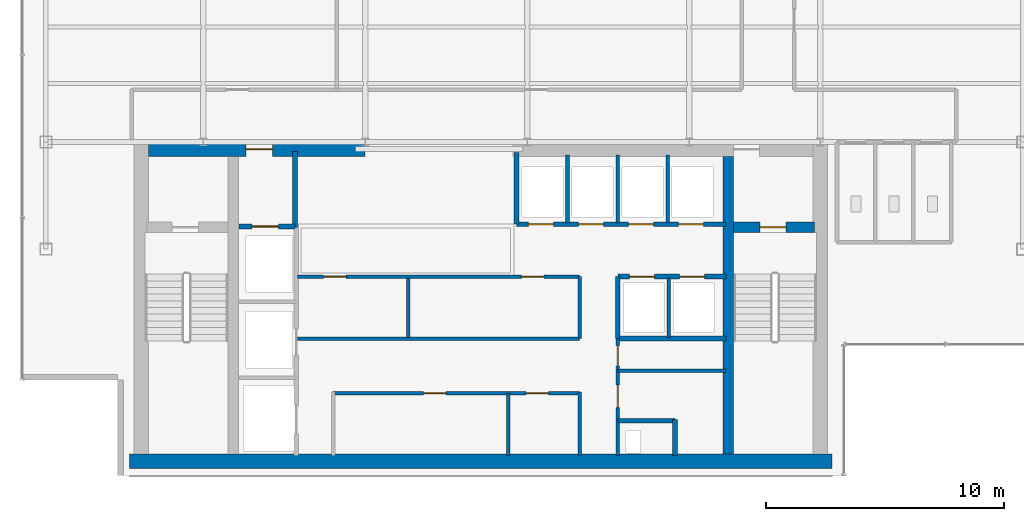
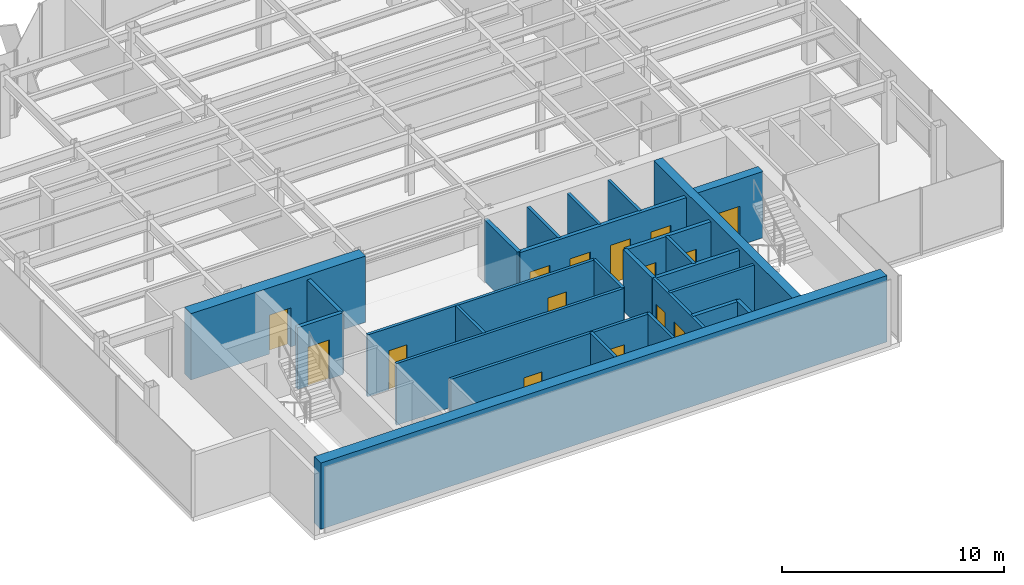
# One storey, part 17 of 22: 26 walls, 15 doors, 15 openings.
"""IFC4 building model written with IfcOpenShell, lengths in metres."""

from ifc_helpers import new_model, si_unit, derived_unit, direction, frame, frame_2d, origin, place, context, subcontext, project, spatial, rectangle, extrude, source, transform, mapped, material, layer, layer_set, type_object, element, fill, save


model = new_model("IFC4")

# Units and contexts
model_context = context("Model", 3, precision=1e-05, world=origin(), true_north=direction((0.0, 1.0)))
body_context = subcontext(model_context, "Body", "Model", "MODEL_VIEW")
ifc_project = project(units=[si_unit("LENGTHUNIT", "METRE"), si_unit("AREAUNIT", "SQUARE_METRE"), si_unit("VOLUMEUNIT", "CUBIC_METRE"), si_unit("PLANEANGLEUNIT", "RADIAN"), si_unit("MASSUNIT", "GRAM", prefix="KILO"), derived_unit("THERMALTRANSMITTANCEUNIT", [(si_unit("POWERUNIT", "WATT"), 1), (si_unit("LENGTHUNIT", "METRE"), -2), (si_unit("THERMODYNAMICTEMPERATUREUNIT", "KELVIN"), -1)])], contexts=[model_context])

# Site, building, storey
site_placement = place(None, origin())
site = spatial("IfcSite", under=ifc_project, at=site_placement, CompositionType="ELEMENT")
building_placement = place(site_placement, origin())
building = spatial("IfcBuilding", under=site, at=building_placement, Name="Skarnbrae Concourse Arena and Tower", CompositionType="ELEMENT")
storey_placement = place(building_placement, frame((0.0, 0.0, 199.550048828125)))
storey = spatial("IfcBuildingStorey", under=building, at=storey_placement, Name="L51", CompositionType="ELEMENT", Elevation=199.550048828125)

# Wall, opening, door
ifc_material_1 = material(Name="Concrete 50 MPa (C50/60)", Category="concrete")
ifc_layer_1 = layer(ifc_material_1, 0.449951171875)
ifc_layer_set_1 = layer_set([ifc_layer_1], Name="Concrete 50 MPa (C50/60)")
wall_type_1 = type_object("IfcWallType", Name="WALL-CORE-450-C50", PredefinedType="SHEAR", material=ifc_layer_set_1)
shared_shape_1 = source(origin(), body_context, "Body", "SweptSolid", [
    extrude(rectangle(XDim=3.389892578125, YDim=0.449951171875, at=frame_2d((1.69482421875, 0.0))), origin(), (0.0, 0.0, 1.0), 3.64990234375),
])
wall_1_placement = place(storey_placement, frame((29.860107421875, 10.419921875, 0.0), z_axis=(0.0, 0.0, 1.0), x_axis=(1.0, 0.0, 0.0)))
wall_1 = element("IfcWall", 1, at=wall_1_placement, inside=storey, type_object=wall_type_1, Name="L51 Rear core shear wall CW-ST2-N", PredefinedType="SHEAR", context=body_context, shape_type="MappedRepresentation", body=[
    mapped(shared_shape_1, transform((0.0, 0.0, 0.0))),
])
opening_1_placement = place(wall_1_placement, frame((1.10009765625, 0.0, 0.0)))
opening_1 = element("IfcOpeningElement", 2, at=opening_1_placement, cuts=wall_1, Name="Opening DT-03", PredefinedType="OPENING", context=body_context, shape_type="SweptSolid", body=[
    extrude(rectangle(XDim=1.10009765625, YDim=2.14990234375, at=frame_2d((0.550048828125, 1.074951171875))), frame((0.0, 0.23486328125, 0.0), z_axis=(0.0, -1.0, 0.0), x_axis=(1.0, 0.0, 0.0)), (0.0, 0.0, 1.0), 0.469970703125),
])
ifc_material_2 = material(Name="Steel CSA G40.21 350W", Category="steel")
door_type_1 = type_object("IfcDoorType", Name="DOOR-FIRE-1100-90M", OperationType="NOTDEFINED", PredefinedType="DOOR", material=ifc_material_2)
shared_shape_2 = source(origin(), body_context, "Body", "SweptSolid", [
    extrude(rectangle(XDim=1.10009765625, YDim=2.14990234375, at=frame_2d((0.550048828125, 1.074951171875))), frame((0.0, 0.02490234375, 0.0), z_axis=(0.0, -1.0, 0.0), x_axis=(1.0, 0.0, 0.0)), (0.0, 0.0, 1.0), 0.050048828125),
])
door_1_placement = place(opening_1_placement, frame((1.10009765625, 0.0, 0.0), z_axis=(0.0, 0.0, 1.0), x_axis=(-1.0, 0.0, 0.0)))
door_1 = element("IfcDoor", 3, at=door_1_placement, inside=storey, type_object=door_type_1, Name="D-1556 Stair ST-2 Door", OperationType="SINGLE_SWING_RIGHT", OverallHeight=2.14990234375, OverallWidth=1.10009765625, PredefinedType="DOOR", context=body_context, shape_type="MappedRepresentation", body=[
    mapped(shared_shape_2, transform((0.0, 0.0, 0.0))),
])
fill(opening_1, door_1)

# Wall
ifc_layer_2 = layer(ifc_material_1, 0.60009765625)
ifc_layer_set_2 = layer_set([ifc_layer_2], Name="Concrete 50 MPa (C50/60)")
wall_type_2 = type_object("IfcWallType", Name="WALL-CORE-600-C50", PredefinedType="SHEAR", material=ifc_layer_set_2)
shared_shape_3 = source(origin(), body_context, "Body", "SweptSolid", [
    extrude(rectangle(XDim=29.5, YDim=0.60009765625, at=frame_2d((14.75, 0.0))), origin(), (0.0, 0.0, 1.0), 3.64990234375),
])
wall_2_placement = place(storey_placement, frame((4.5, 0.60009765625, 0.0), z_axis=(0.0, 0.0, 1.0), x_axis=(1.0, 0.0, 0.0)))
element("IfcWall", 4, at=wall_2_placement, inside=storey, type_object=wall_type_2, Name="L51 Rear core shear wall CW-S", PredefinedType="SHEAR", context=body_context, shape_type="MappedRepresentation", body=[
    mapped(shared_shape_3, transform((0.0, 0.0, 0.0))),
])

# Wall, opening, door
shared_shape_4 = source(origin(), body_context, "Body", "SweptSolid", [
    extrude(rectangle(XDim=9.099853515625, YDim=0.60009765625, at=frame_2d((4.5498046875, 0.0))), origin(), (0.0, 0.0, 1.0), 3.64990234375),
])
wall_3_placement = place(storey_placement, frame((5.300048828125, 13.699951171875, 0.0), z_axis=(0.0, 0.0, 1.0), x_axis=(1.0, 0.0, 0.0)))
wall_3 = element("IfcWall", 5, at=wall_3_placement, inside=storey, type_object=wall_type_2, Name="L51 Rear core shear wall CW-NW", PredefinedType="SHEAR", context=body_context, shape_type="MappedRepresentation", body=[
    mapped(shared_shape_4, transform((0.0, 0.0, 0.0))),
])
opening_2_placement = place(wall_3_placement, frame((4.10009765625, 0.0, 0.0)))
opening_2 = element("IfcOpeningElement", 6, at=opening_2_placement, cuts=wall_3, Name="Opening DT-03", PredefinedType="OPENING", context=body_context, shape_type="SweptSolid", body=[
    extrude(rectangle(XDim=1.10009765625, YDim=2.14990234375, at=frame_2d((0.550048828125, 1.074951171875))), frame((0.0, 0.31005859375, 0.0), z_axis=(0.0, -1.0, 0.0), x_axis=(1.0, 0.0, 0.0)), (0.0, 0.0, 1.0), 0.6201171875),
])
door_2_placement = place(opening_2_placement, origin())
door_2 = element("IfcDoor", 7, at=door_2_placement, inside=storey, type_object=door_type_1, Name="D-1557 Firefighting Lobby Exit Door", OperationType="SINGLE_SWING_RIGHT", OverallHeight=2.14990234375, OverallWidth=1.10009765625, PredefinedType="DOOR", context=body_context, shape_type="MappedRepresentation", body=[
    mapped(shared_shape_2, transform((0.0, 0.0, 0.0))),
])
fill(opening_2, door_2)

# Walls
shared_shape_5 = source(origin(), body_context, "Body", "SweptSolid", [
    extrude(rectangle(XDim=12.5, YDim=0.449951171875, at=frame_2d((6.25, 0.0))), origin(), (0.0, 0.0, 1.0), 3.64990234375),
])
wall_4_placement = place(storey_placement, frame((29.635009765625, 0.89990234375, 0.0), z_axis=(0.0, 0.0, 1.0), x_axis=(0.0, 1.0, 0.0)))
element("IfcWall", 8, at=wall_4_placement, inside=storey, type_object=wall_type_1, Name="L51 Rear core shear wall CW-WEB-E", PredefinedType="SHEAR", context=body_context, shape_type="MappedRepresentation", body=[
    mapped(shared_shape_5, transform((0.0, 0.0, 0.0))),
])
ifc_material_3 = material(Name="Gypsum board on cold-formed steel studs", Category="steel")
ifc_layer_3 = layer(ifc_material_3, 0.199951171875)
ifc_layer_set_3 = layer_set([ifc_layer_3], Name="Gypsum board on cold-formed steel studs")
wall_type_3 = type_object("IfcWallType", Name="WALL-PART-200-2HR", PredefinedType="PARTITIONING", material=ifc_layer_set_3)
shared_shape_6 = source(origin(), body_context, "Body", "SweptSolid", [
    extrude(rectangle(XDim=3.18017578125, YDim=0.199951171875, at=frame_2d((1.590087890625, 0.0))), origin(), (0.0, 0.0, 1.0), 3.39990234375),
])
wall_5_placement = place(storey_placement, frame((11.449951171875, 10.419921875, 0.0), z_axis=(0.0, 0.0, 1.0), x_axis=(0.0, 1.0, 0.0)))
element("IfcWall", 9, at=wall_5_placement, inside=storey, type_object=wall_type_3, Name="L51 Interior partition wall W-L51-FFL-E", PredefinedType="PARTITIONING", context=body_context, shape_type="MappedRepresentation", body=[
    mapped(shared_shape_6, transform((0.0, 0.0, 0.0))),
])

# Wall, opening, door
shared_shape_7 = source(origin(), body_context, "Body", "SweptSolid", [
    extrude(rectangle(XDim=2.349853515625, YDim=0.199951171875, at=frame_2d((1.1748046875, 0.0))), origin(), (0.0, 0.0, 1.0), 3.39990234375),
])
wall_6_placement = place(storey_placement, frame((9.10009765625, 10.449951171875, 0.0), z_axis=(0.0, 0.0, 1.0), x_axis=(1.0, 0.0, 0.0)))
wall_6 = element("IfcWall", 10, at=wall_6_placement, inside=storey, type_object=wall_type_3, Name="L51 Interior partition wall W-L51-FL1-N", PredefinedType="PARTITIONING", context=body_context, shape_type="MappedRepresentation", body=[
    mapped(shared_shape_7, transform((0.0, 0.0, 0.0))),
])
opening_3_placement = place(wall_6_placement, frame((0.550048828125, 0.0, 0.0)))
opening_3 = element("IfcOpeningElement", 11, at=opening_3_placement, cuts=wall_6, Name="Opening LD-01", PredefinedType="OPENING", context=body_context, shape_type="SweptSolid", body=[
    extrude(rectangle(XDim=1.10009765625, YDim=2.14990234375, at=frame_2d((0.550048828125, 1.074951171875))), frame((0.0, 0.10986328125, 0.0), z_axis=(0.0, -1.0, 0.0), x_axis=(1.0, 0.0, 0.0)), (0.0, 0.0, 1.0), 0.219970703125),
])
door_type_2 = type_object("IfcDoorType", Name="DOOR-LIFT-SLIDE-1100", OperationType="SLIDING_TO_LEFT", PredefinedType="DOOR", material=ifc_material_2)
door_3_placement = place(opening_3_placement, origin())
door_3 = element("IfcDoor", 12, at=door_3_placement, inside=storey, type_object=door_type_2, Name="D-1559 Firefighting Lift Landing Door FL-01", OperationType="SLIDING_TO_LEFT", OverallHeight=2.14990234375, OverallWidth=1.10009765625, PredefinedType="DOOR", context=body_context, shape_type="MappedRepresentation", body=[
    mapped(shared_shape_2, transform((0.0, 0.0, 0.0))),
])
fill(opening_3, door_3)

# Walls
ifc_layer_4 = layer(ifc_material_3, 0.14990234375)
ifc_layer_set_4 = layer_set([ifc_layer_4], Name="Gypsum board on cold-formed steel studs")
wall_type_4 = type_object("IfcWallType", Name="WALL-PART-150", PredefinedType="PARTITIONING", material=ifc_layer_set_4)
shared_shape_8 = source(origin(), body_context, "Body", "SweptSolid", [
    extrude(rectangle(XDim=2.599853515625, YDim=0.14990234375, at=frame_2d((1.2998046875, 0.0))), origin(), (0.0, 0.0, 1.0), 3.39990234375),
])
wall_7_placement = place(storey_placement, frame((20.39990234375, 0.85009765625, 0.0), z_axis=(0.0, 0.0, 1.0), x_axis=(0.0, 1.0, 0.0)))
element("IfcWall", 13, at=wall_7_placement, inside=storey, type_object=wall_type_4, Name="L51 Interior partition wall W-L51-B1M-C1", PredefinedType="PARTITIONING", context=body_context, shape_type="MappedRepresentation", body=[
    mapped(shared_shape_8, transform((0.0, 0.0, 0.0))),
])
shared_shape_9 = source(origin(), body_context, "Body", "SweptSolid", [
    extrude(rectangle(XDim=2.60009765625, YDim=0.199951171875, at=frame_2d((1.300048828125, 0.0))), origin(), (0.0, 0.0, 1.0), 3.39990234375),
])
wall_8_placement = place(storey_placement, frame((25.0, 5.75, 0.0), z_axis=(0.0, 0.0, 1.0), x_axis=(0.0, 1.0, 0.0)))
element("IfcWall", 14, at=wall_8_placement, inside=storey, type_object=wall_type_3, Name="L51 Interior partition wall W-L51-B3S-W", PredefinedType="PARTITIONING", context=body_context, shape_type="MappedRepresentation", body=[
    mapped(shared_shape_9, transform((0.0, 0.0, 0.0))),
])
shared_shape_10 = source(origin(), body_context, "Body", "SweptSolid", [
    extrude(rectangle(XDim=2.5, YDim=0.14990234375, at=frame_2d((1.25, 0.0))), origin(), (0.0, 0.0, 1.0), 3.39990234375),
])
for number, where, z_axis, x_axis, name in (
    (15, (16.199951171875, 5.800048828125, 0.0), (0.0, 0.0, 1.0), (0.0, 1.0, 0.0), "L51 Interior partition wall W-L51-B2M-MID"),
    (16, (27.139892578125, 5.800048828125, 0.0), (0.0, 0.0, 1.0), (0.0, 1.0, 0.0), "L51 Interior partition wall W-L51-B3S-P1"),
):
    element("IfcWall", number, at=place(storey_placement, frame(where, z_axis=z_axis, x_axis=x_axis)), inside=storey, type_object=wall_type_4, Name=name, PredefinedType="PARTITIONING", context=body_context, shape_type="MappedRepresentation", body=[
        mapped(shared_shape_10, transform((0.0, 0.0, 0.0))),
    ])

# Wall, openings, doors
shared_shape_11 = source(origin(), body_context, "Body", "SweptSolid", [
    extrude(rectangle(XDim=8.800048828125, YDim=0.199951171875, at=frame_2d((4.39990234375, 0.0))), origin(), (0.0, 0.0, 1.0), 3.39990234375),
])
wall_9_placement = place(storey_placement, frame((20.75, 10.550048828125, 0.0), z_axis=(0.0, 0.0, 1.0), x_axis=(1.0, 0.0, 0.0)))
wall_9 = element("IfcWall", 17, at=wall_9_placement, inside=storey, type_object=wall_type_3, Name="L51 Interior partition wall W-L51-B3N-S", PredefinedType="PARTITIONING", context=body_context, shape_type="MappedRepresentation", body=[
    mapped(shared_shape_11, transform((0.0, 0.0, 0.0))),
])
opening_4_placement = place(wall_9_placement, frame((0.5, 0.0, 0.0)))
opening_4 = element("IfcOpeningElement", 18, at=opening_4_placement, cuts=wall_9, Name="Opening LD-04", PredefinedType="OPENING", context=body_context, shape_type="SweptSolid", body=[
    extrude(rectangle(XDim=1.050048828125, YDim=2.14990234375, at=frame_2d((0.52490234375, 1.074951171875))), frame((0.0, 0.10986328125, 0.0), z_axis=(0.0, -1.0, 0.0), x_axis=(1.0, 0.0, 0.0)), (0.0, 0.0, 1.0), 0.219970703125),
])
opening_5_placement = place(wall_9_placement, frame((2.60009765625, 0.0, 0.0)))
opening_5 = element("IfcOpeningElement", 19, at=opening_5_placement, cuts=wall_9, Name="Opening LD-04", PredefinedType="OPENING", context=body_context, shape_type="SweptSolid", body=[
    extrude(rectangle(XDim=1.050048828125, YDim=2.14990234375, at=frame_2d((0.52490234375, 1.074951171875))), frame((0.0, 0.10986328125, 0.0), z_axis=(0.0, -1.0, 0.0), x_axis=(1.0, 0.0, 0.0)), (0.0, 0.0, 1.0), 0.219970703125),
])
opening_6_placement = place(wall_9_placement, frame((4.699951171875, 0.0, 0.0)))
opening_6 = element("IfcOpeningElement", 20, at=opening_6_placement, cuts=wall_9, Name="Opening LD-04", PredefinedType="OPENING", context=body_context, shape_type="SweptSolid", body=[
    extrude(rectangle(XDim=1.050048828125, YDim=2.14990234375, at=frame_2d((0.52490234375, 1.074951171875))), frame((0.0, 0.10986328125, 0.0), z_axis=(0.0, -1.0, 0.0), x_axis=(1.0, 0.0, 0.0)), (0.0, 0.0, 1.0), 0.219970703125),
])
opening_7_placement = place(wall_9_placement, frame((6.800048828125, 0.0, 0.0)))
opening_7 = element("IfcOpeningElement", 21, at=opening_7_placement, cuts=wall_9, Name="Opening LD-04", PredefinedType="OPENING", context=body_context, shape_type="SweptSolid", body=[
    extrude(rectangle(XDim=1.050048828125, YDim=2.14990234375, at=frame_2d((0.52490234375, 1.074951171875))), frame((0.0, 0.10986328125, 0.0), z_axis=(0.0, -1.0, 0.0), x_axis=(1.0, 0.0, 0.0)), (0.0, 0.0, 1.0), 0.219970703125),
])
ifc_material_4 = material(Name="Bronze anodised aluminium 6063-T6", Category="aluminium")
door_type_3 = type_object("IfcDoorType", Name="DOOR-LIFT-SLIDE-1050H", OperationType="SLIDING_TO_LEFT", PredefinedType="DOOR", material=ifc_material_4)
shared_shape_12 = source(origin(), body_context, "Body", "SweptSolid", [
    extrude(rectangle(XDim=1.050048828125, YDim=2.14990234375, at=frame_2d((0.52490234375, 1.074951171875))), frame((0.0, 0.02490234375, 0.0), z_axis=(0.0, -1.0, 0.0), x_axis=(1.0, 0.0, 0.0)), (0.0, 0.0, 1.0), 0.050048828125),
])
door_4_placement = place(opening_4_placement, frame((1.050048828125, 0.0, 0.0), z_axis=(0.0, 0.0, 1.0), x_axis=(-1.0, 0.0, 0.0)))
door_4 = element("IfcDoor", 22, at=door_4_placement, inside=storey, type_object=door_type_3, Name="D-1566 Passenger Lift Landing Door PL-3A", OperationType="SLIDING_TO_LEFT", OverallHeight=2.14990234375, OverallWidth=1.050048828125, PredefinedType="DOOR", context=body_context, shape_type="MappedRepresentation", body=[
    mapped(shared_shape_12, transform((0.0, 0.0, 0.0))),
])
fill(opening_4, door_4)
door_5_placement = place(opening_5_placement, frame((1.050048828125, 0.0, 0.0), z_axis=(0.0, 0.0, 1.0), x_axis=(-1.0, 0.0, 0.0)))
door_5 = element("IfcDoor", 23, at=door_5_placement, inside=storey, type_object=door_type_3, Name="D-1567 Passenger Lift Landing Door PL-3B", OperationType="SLIDING_TO_LEFT", OverallHeight=2.14990234375, OverallWidth=1.050048828125, PredefinedType="DOOR", context=body_context, shape_type="MappedRepresentation", body=[
    mapped(shared_shape_12, transform((0.0, 0.0, 0.0))),
])
fill(opening_5, door_5)
door_6_placement = place(opening_6_placement, frame((1.050048828125, 0.0, 0.0), z_axis=(0.0, 0.0, 1.0), x_axis=(-1.0, 0.0, 0.0)))
door_6 = element("IfcDoor", 24, at=door_6_placement, inside=storey, type_object=door_type_3, Name="D-1568 Passenger Lift Landing Door PL-3C", OperationType="SLIDING_TO_LEFT", OverallHeight=2.14990234375, OverallWidth=1.050048828125, PredefinedType="DOOR", context=body_context, shape_type="MappedRepresentation", body=[
    mapped(shared_shape_12, transform((0.0, 0.0, 0.0))),
])
fill(opening_6, door_6)
door_7_placement = place(opening_7_placement, frame((1.050048828125, 0.0, 0.0), z_axis=(0.0, 0.0, 1.0), x_axis=(-1.0, 0.0, 0.0)))
door_7 = element("IfcDoor", 25, at=door_7_placement, inside=storey, type_object=door_type_3, Name="D-1569 Passenger Lift Landing Door PL-3D", OperationType="SLIDING_TO_LEFT", OverallHeight=2.14990234375, OverallWidth=1.050048828125, PredefinedType="DOOR", context=body_context, shape_type="MappedRepresentation", body=[
    mapped(shared_shape_12, transform((0.0, 0.0, 0.0))),
])
fill(opening_7, door_7)

# Walls
shared_shape_13 = source(origin(), body_context, "Body", "SweptSolid", [
    extrude(rectangle(XDim=3.0, YDim=0.199951171875, at=frame_2d((1.5, 0.0))), origin(), (0.0, 0.0, 1.0), 3.39990234375),
])
wall_10_placement = place(storey_placement, frame((20.75, 10.550048828125, 0.0), z_axis=(0.0, 0.0, 1.0), x_axis=(0.0, 1.0, 0.0)))
element("IfcWall", 26, at=wall_10_placement, inside=storey, type_object=wall_type_3, Name="L51 Interior partition wall W-L51-B3N-W", PredefinedType="PARTITIONING", context=body_context, shape_type="MappedRepresentation", body=[
    mapped(shared_shape_13, transform((0.0, 0.0, 0.0))),
])
shared_shape_14 = source(origin(), body_context, "Body", "SweptSolid", [
    extrude(rectangle(XDim=2.849853515625, YDim=0.14990234375, at=frame_2d((1.4248046875, 0.0))), origin(), (0.0, 0.0, 1.0), 3.39990234375),
])
for number, where, z_axis, x_axis, name in (
    (27, (22.889892578125, 10.60009765625, 0.0), (0.0, 0.0, 1.0), (0.0, 1.0, 0.0), "L51 Interior partition wall W-L51-B3N-P1"),
    (28, (24.989990234375, 10.60009765625, 0.0), (0.0, 0.0, 1.0), (0.0, 1.0, 0.0), "L51 Interior partition wall W-L51-B3N-P2"),
    (29, (27.090087890625, 10.60009765625, 0.0), (0.0, 0.0, 1.0), (0.0, 1.0, 0.0), "L51 Interior partition wall W-L51-B3N-P3"),
):
    element("IfcWall", number, at=place(storey_placement, frame(where, z_axis=z_axis, x_axis=x_axis)), inside=storey, type_object=wall_type_4, Name=name, PredefinedType="PARTITIONING", context=body_context, shape_type="MappedRepresentation", body=[
        mapped(shared_shape_14, transform((0.0, 0.0, 0.0))),
    ])

# Wall, openings, doors
shared_shape_15 = source(origin(), body_context, "Body", "SweptSolid", [
    extrude(rectangle(XDim=4.550048828125, YDim=0.199951171875, at=frame_2d((2.27490234375, 0.0))), origin(), (0.0, 0.0, 1.0), 3.39990234375),
])
wall_11_placement = place(storey_placement, frame((25.0, 8.35009765625, 0.0), z_axis=(0.0, 0.0, 1.0), x_axis=(1.0, 0.0, 0.0)))
wall_11 = element("IfcWall", 30, at=wall_11_placement, inside=storey, type_object=wall_type_3, Name="L51 Interior partition wall W-L51-B3S-N", PredefinedType="PARTITIONING", context=body_context, shape_type="MappedRepresentation", body=[
    mapped(shared_shape_15, transform((0.0, 0.0, 0.0))),
])
opening_8_placement = place(wall_11_placement, frame((0.5, 0.0, 0.0)))
opening_8 = element("IfcOpeningElement", 31, at=opening_8_placement, cuts=wall_11, Name="Opening LD-04", PredefinedType="OPENING", context=body_context, shape_type="SweptSolid", body=[
    extrude(rectangle(XDim=1.050048828125, YDim=2.14990234375, at=frame_2d((0.52490234375, 1.074951171875))), frame((0.0, 0.10986328125, 0.0), z_axis=(0.0, -1.0, 0.0), x_axis=(1.0, 0.0, 0.0)), (0.0, 0.0, 1.0), 0.219970703125),
])
opening_9_placement = place(wall_11_placement, frame((2.60009765625, 0.0, 0.0)))
opening_9 = element("IfcOpeningElement", 32, at=opening_9_placement, cuts=wall_11, Name="Opening LD-04", PredefinedType="OPENING", context=body_context, shape_type="SweptSolid", body=[
    extrude(rectangle(XDim=1.050048828125, YDim=2.14990234375, at=frame_2d((0.52490234375, 1.074951171875))), frame((0.0, 0.10986328125, 0.0), z_axis=(0.0, -1.0, 0.0), x_axis=(1.0, 0.0, 0.0)), (0.0, 0.0, 1.0), 0.219970703125),
])
door_8_placement = place(opening_8_placement, origin())
door_8 = element("IfcDoor", 33, at=door_8_placement, inside=storey, type_object=door_type_3, Name="D-1570 Passenger Lift Landing Door PL-3E", OperationType="SLIDING_TO_LEFT", OverallHeight=2.14990234375, OverallWidth=1.050048828125, PredefinedType="DOOR", context=body_context, shape_type="MappedRepresentation", body=[
    mapped(shared_shape_12, transform((0.0, 0.0, 0.0))),
])
fill(opening_8, door_8)
door_9_placement = place(opening_9_placement, origin())
door_9 = element("IfcDoor", 34, at=door_9_placement, inside=storey, type_object=door_type_3, Name="D-1571 Passenger Lift Landing Door PL-3F", OperationType="SLIDING_TO_LEFT", OverallHeight=2.14990234375, OverallWidth=1.050048828125, PredefinedType="DOOR", context=body_context, shape_type="MappedRepresentation", body=[
    mapped(shared_shape_12, transform((0.0, 0.0, 0.0))),
])
fill(opening_9, door_9)

# Wall
wall_12_placement = place(storey_placement, frame((25.0, 5.75, 0.0), z_axis=(0.0, 0.0, 1.0), x_axis=(1.0, 0.0, 0.0)))
element("IfcWall", 35, at=wall_12_placement, inside=storey, type_object=wall_type_3, Name="L51 Interior partition wall W-L51-B3S-S", PredefinedType="PARTITIONING", context=body_context, shape_type="MappedRepresentation", body=[
    mapped(shared_shape_15, transform((0.0, 0.0, 0.0))),
])

# Wall, openings, doors
ifc_layer_5 = layer(ifc_material_3, 0.14990234375)
ifc_layer_set_5 = layer_set([ifc_layer_5], Name="Gypsum board on cold-formed steel studs")
wall_type_5 = type_object("IfcWallType", Name="WALL-PART-150-1HR", PredefinedType="PARTITIONING", material=ifc_layer_set_5)
shared_shape_16 = source(origin(), body_context, "Body", "SweptSolid", [
    extrude(rectangle(XDim=4.89990234375, YDim=0.14990234375, at=frame_2d((2.449951171875, 0.0))), origin(), (0.0, 0.0, 1.0), 3.39990234375),
])
wall_13_placement = place(storey_placement, frame((25.0, 0.85009765625, 0.0), z_axis=(0.0, 0.0, 1.0), x_axis=(0.0, 1.0, 0.0)))
wall_13 = element("IfcWall", 36, at=wall_13_placement, inside=storey, type_object=wall_type_5, Name="L51 Interior partition wall W-L51-CSV-W", PredefinedType="PARTITIONING", context=body_context, shape_type="MappedRepresentation", body=[
    mapped(shared_shape_16, transform((0.0, 0.0, 0.0))),
])
opening_10_placement = place(wall_13_placement, frame((2.0, 0.0, 0.0)))
opening_10 = element("IfcOpeningElement", 37, at=opening_10_placement, cuts=wall_13, Name="Opening DT-04", PredefinedType="OPENING", context=body_context, shape_type="SweptSolid", body=[
    extrude(rectangle(XDim=0.949951171875, YDim=2.14990234375, at=frame_2d((0.47509765625, 1.074951171875))), frame((0.0, 0.0849609375, 0.0), z_axis=(0.0, -1.0, 0.0), x_axis=(1.0, 0.0, 0.0)), (0.0, 0.0, 1.0), 0.169921875),
])
opening_11_placement = place(wall_13_placement, frame((3.75, 0.0, 0.0)))
opening_11 = element("IfcOpeningElement", 38, at=opening_11_placement, cuts=wall_13, Name="Opening DT-08", PredefinedType="OPENING", context=body_context, shape_type="SweptSolid", body=[
    extrude(rectangle(XDim=0.85009765625, YDim=2.14990234375, at=frame_2d((0.425048828125, 1.074951171875))), frame((0.0, 0.0849609375, 0.0), z_axis=(0.0, -1.0, 0.0), x_axis=(1.0, 0.0, 0.0)), (0.0, 0.0, 1.0), 0.169921875),
])
door_type_4 = type_object("IfcDoorType", Name="DOOR-INT-950-45M", OperationType="NOTDEFINED", PredefinedType="DOOR", material=ifc_material_2)
shared_shape_17 = source(origin(), body_context, "Body", "SweptSolid", [
    extrude(rectangle(XDim=0.949951171875, YDim=2.14990234375, at=frame_2d((0.47509765625, 1.074951171875))), frame((0.0, 0.02490234375, 0.0), z_axis=(0.0, -1.0, 0.0), x_axis=(1.0, 0.0, 0.0)), (0.0, 0.0, 1.0), 0.050048828125),
])
door_10_placement = place(opening_10_placement, origin())
door_10 = element("IfcDoor", 39, at=door_10_placement, inside=storey, type_object=door_type_4, Name="D-1572 Telemetry Room Door", OperationType="SINGLE_SWING_LEFT", OverallHeight=2.14990234375, OverallWidth=0.949951171875, PredefinedType="DOOR", context=body_context, shape_type="MappedRepresentation", body=[
    mapped(shared_shape_17, transform((0.0, 0.0, 0.0))),
])
fill(opening_10, door_10)
door_type_5 = type_object("IfcDoorType", Name="DOOR-INT-850-45M", OperationType="NOTDEFINED", PredefinedType="DOOR", material=ifc_material_2)
shared_shape_18 = source(origin(), body_context, "Body", "SweptSolid", [
    extrude(rectangle(XDim=0.85009765625, YDim=2.14990234375, at=frame_2d((0.425048828125, 1.074951171875))), frame((0.0, 0.02490234375, 0.0), z_axis=(0.0, -1.0, 0.0), x_axis=(1.0, 0.0, 0.0)), (0.0, 0.0, 1.0), 0.050048828125),
])
door_11_placement = place(opening_11_placement, origin())
door_11 = element("IfcDoor", 40, at=door_11_placement, inside=storey, type_object=door_type_5, Name="D-1573 Recycling Room Door", OperationType="SINGLE_SWING_RIGHT", OverallHeight=2.14990234375, OverallWidth=0.85009765625, PredefinedType="DOOR", context=body_context, shape_type="MappedRepresentation", body=[
    mapped(shared_shape_18, transform((0.0, 0.0, 0.0))),
])
fill(opening_11, door_11)

# Walls
shared_shape_19 = source(origin(), body_context, "Body", "SweptSolid", [
    extrude(rectangle(XDim=2.39990234375, YDim=0.199951171875, at=frame_2d((1.199951171875, 0.0))), origin(), (0.0, 0.0, 1.0), 3.39990234375),
])
wall_14_placement = place(storey_placement, frame((25.0, 2.300048828125, 0.0), z_axis=(0.0, 0.0, 1.0), x_axis=(1.0, 0.0, 0.0)))
element("IfcWall", 41, at=wall_14_placement, inside=storey, type_object=wall_type_3, Name="L51 Interior partition wall W-L51-MEP-N", PredefinedType="PARTITIONING", context=body_context, shape_type="MappedRepresentation", body=[
    mapped(shared_shape_19, transform((0.0, 0.0, 0.0))),
])
shared_shape_20 = source(origin(), body_context, "Body", "SweptSolid", [
    extrude(rectangle(XDim=1.5, YDim=0.199951171875, at=frame_2d((0.75, 0.0))), origin(), (0.0, 0.0, 1.0), 3.39990234375),
])
wall_15_placement = place(storey_placement, frame((27.39990234375, 0.85009765625, 0.0), z_axis=(0.0, 0.0, 1.0), x_axis=(0.0, 1.0, 0.0)))
element("IfcWall", 42, at=wall_15_placement, inside=storey, type_object=wall_type_3, Name="L51 Interior partition wall W-L51-MEP-E", PredefinedType="PARTITIONING", context=body_context, shape_type="MappedRepresentation", body=[
    mapped(shared_shape_20, transform((0.0, 0.0, 0.0))),
])
shared_shape_21 = source(origin(), body_context, "Body", "SweptSolid", [
    extrude(rectangle(XDim=4.550048828125, YDim=0.14990234375, at=frame_2d((2.27490234375, 0.0))), origin(), (0.0, 0.0, 1.0), 3.39990234375),
])
wall_16_placement = place(storey_placement, frame((25.0, 4.39990234375, 0.0), z_axis=(0.0, 0.0, 1.0), x_axis=(1.0, 0.0, 0.0)))
element("IfcWall", 43, at=wall_16_placement, inside=storey, type_object=wall_type_4, Name="L51 Interior partition wall W-L51-CSV-H", PredefinedType="PARTITIONING", context=body_context, shape_type="MappedRepresentation", body=[
    mapped(shared_shape_21, transform((0.0, 0.0, 0.0))),
])
shared_shape_22 = source(origin(), body_context, "Body", "SweptSolid", [
    extrude(rectangle(XDim=2.64990234375, YDim=0.14990234375, at=frame_2d((1.324951171875, 0.0))), origin(), (0.0, 0.0, 1.0), 3.39990234375),
])
wall_17_placement = place(storey_placement, frame((23.39990234375, 0.85009765625, 0.0), z_axis=(0.0, 0.0, 1.0), x_axis=(0.0, 1.0, 0.0)))
element("IfcWall", 44, at=wall_17_placement, inside=storey, type_object=wall_type_5, Name="L51 Interior partition wall W-L51-B1M-E", PredefinedType="PARTITIONING", context=body_context, shape_type="MappedRepresentation", body=[
    mapped(shared_shape_22, transform((0.0, 0.0, 0.0))),
])

# Wall, openings, doors
shared_shape_23 = source(origin(), body_context, "Body", "SweptSolid", [
    extrude(rectangle(XDim=10.349853515625, YDim=0.14990234375, at=frame_2d((5.1748046875, 0.0))), origin(), (0.0, 0.0, 1.0), 3.39990234375),
])
wall_18_placement = place(storey_placement, frame((13.050048828125, 3.449951171875, 0.0), z_axis=(0.0, 0.0, 1.0), x_axis=(1.0, 0.0, 0.0)))
wall_18 = element("IfcWall", 45, at=wall_18_placement, inside=storey, type_object=wall_type_5, Name="L51 Interior partition wall W-L51-B1M-N", PredefinedType="PARTITIONING", context=body_context, shape_type="MappedRepresentation", body=[
    mapped(shared_shape_23, transform((0.0, 0.0, 0.0))),
])
opening_12_placement = place(wall_18_placement, frame((3.800048828125, 0.0, 0.0)))
opening_12 = element("IfcOpeningElement", 46, at=opening_12_placement, cuts=wall_18, Name="Opening DT-04", PredefinedType="OPENING", context=body_context, shape_type="SweptSolid", body=[
    extrude(rectangle(XDim=0.949951171875, YDim=2.14990234375, at=frame_2d((0.47509765625, 1.074951171875))), frame((0.0, 0.0849609375, 0.0), z_axis=(0.0, -1.0, 0.0), x_axis=(1.0, 0.0, 0.0)), (0.0, 0.0, 1.0), 0.169921875),
])
opening_13_placement = place(wall_18_placement, frame((8.10009765625, 0.0, 0.0)))
opening_13 = element("IfcOpeningElement", 47, at=opening_13_placement, cuts=wall_18, Name="Opening DT-04", PredefinedType="OPENING", context=body_context, shape_type="SweptSolid", body=[
    extrude(rectangle(XDim=0.949951171875, YDim=2.14990234375, at=frame_2d((0.47509765625, 1.074951171875))), frame((0.0, 0.0849609375, 0.0), z_axis=(0.0, -1.0, 0.0), x_axis=(1.0, 0.0, 0.0)), (0.0, 0.0, 1.0), 0.169921875),
])
door_12_placement = place(opening_12_placement, origin())
door_12 = element("IfcDoor", 48, at=door_12_placement, inside=storey, type_object=door_type_4, Name="D-1562 Staff Locker Door", OperationType="SINGLE_SWING_LEFT", OverallHeight=2.14990234375, OverallWidth=0.949951171875, PredefinedType="DOOR", context=body_context, shape_type="MappedRepresentation", body=[
    mapped(shared_shape_17, transform((0.0, 0.0, 0.0))),
])
fill(opening_12, door_12)
door_13_placement = place(opening_13_placement, origin())
door_13 = element("IfcDoor", 49, at=door_13_placement, inside=storey, type_object=door_type_4, Name="D-1563 Janitor Store Door", OperationType="SINGLE_SWING_RIGHT", OverallHeight=2.14990234375, OverallWidth=0.949951171875, PredefinedType="DOOR", context=body_context, shape_type="MappedRepresentation", body=[
    mapped(shared_shape_17, transform((0.0, 0.0, 0.0))),
])
fill(opening_13, door_13)

# Wall
shared_shape_24 = source(origin(), body_context, "Body", "SweptSolid", [
    extrude(rectangle(XDim=11.849853515625, YDim=0.14990234375, at=frame_2d((5.9248046875, 0.0))), origin(), (0.0, 0.0, 1.0), 3.39990234375),
])
wall_19_placement = place(storey_placement, frame((11.550048828125, 5.75, 0.0), z_axis=(0.0, 0.0, 1.0), x_axis=(1.0, 0.0, 0.0)))
element("IfcWall", 50, at=wall_19_placement, inside=storey, type_object=wall_type_5, Name="L51 Interior partition wall W-L51-B2M-S", PredefinedType="PARTITIONING", context=body_context, shape_type="MappedRepresentation", body=[
    mapped(shared_shape_24, transform((0.0, 0.0, 0.0))),
])

# Wall, openings, doors
wall_20_placement = place(storey_placement, frame((11.550048828125, 8.35009765625, 0.0), z_axis=(0.0, 0.0, 1.0), x_axis=(1.0, 0.0, 0.0)))
wall_20 = element("IfcWall", 51, at=wall_20_placement, inside=storey, type_object=wall_type_5, Name="L51 Interior partition wall W-L51-B2M-N", PredefinedType="PARTITIONING", context=body_context, shape_type="MappedRepresentation", body=[
    mapped(shared_shape_24, transform((0.0, 0.0, 0.0))),
])
opening_14_placement = place(wall_20_placement, frame((1.10009765625, 0.0, 0.0)))
opening_14 = element("IfcOpeningElement", 52, at=opening_14_placement, cuts=wall_20, Name="Opening DT-04", PredefinedType="OPENING", context=body_context, shape_type="SweptSolid", body=[
    extrude(rectangle(XDim=0.949951171875, YDim=2.14990234375, at=frame_2d((0.47509765625, 1.074951171875))), frame((0.0, 0.0849609375, 0.0), z_axis=(0.0, -1.0, 0.0), x_axis=(1.0, 0.0, 0.0)), (0.0, 0.0, 1.0), 0.169921875),
])
opening_15_placement = place(wall_20_placement, frame((9.39990234375, 0.0, 0.0)))
opening_15 = element("IfcOpeningElement", 53, at=opening_15_placement, cuts=wall_20, Name="Opening DT-04", PredefinedType="OPENING", context=body_context, shape_type="SweptSolid", body=[
    extrude(rectangle(XDim=0.949951171875, YDim=2.14990234375, at=frame_2d((0.47509765625, 1.074951171875))), frame((0.0, 0.0849609375, 0.0), z_axis=(0.0, -1.0, 0.0), x_axis=(1.0, 0.0, 0.0)), (0.0, 0.0, 1.0), 0.169921875),
])
door_14_placement = place(opening_14_placement, origin())
door_14 = element("IfcDoor", 54, at=door_14_placement, inside=storey, type_object=door_type_4, Name="D-1564 High-Zone Data Door", OperationType="SINGLE_SWING_RIGHT", OverallHeight=2.14990234375, OverallWidth=0.949951171875, PredefinedType="DOOR", context=body_context, shape_type="MappedRepresentation", body=[
    mapped(shared_shape_17, transform((0.0, 0.0, 0.0))),
])
fill(opening_14, door_14)
door_15_placement = place(opening_15_placement, origin())
door_15 = element("IfcDoor", 55, at=door_15_placement, inside=storey, type_object=door_type_4, Name="D-1565 Reprographics Door", OperationType="SINGLE_SWING_LEFT", OverallHeight=2.14990234375, OverallWidth=0.949951171875, PredefinedType="DOOR", context=body_context, shape_type="MappedRepresentation", body=[
    mapped(shared_shape_17, transform((0.0, 0.0, 0.0))),
])
fill(opening_15, door_15)

# Wall
shared_shape_25 = source(origin(), body_context, "Body", "SweptSolid", [
    extrude(rectangle(XDim=2.60009765625, YDim=0.14990234375, at=frame_2d((1.300048828125, 0.0))), origin(), (0.0, 0.0, 1.0), 3.39990234375),
])
wall_21_placement = place(storey_placement, frame((23.39990234375, 5.75, 0.0), z_axis=(0.0, 0.0, 1.0), x_axis=(0.0, 1.0, 0.0)))
element("IfcWall", 56, at=wall_21_placement, inside=storey, type_object=wall_type_5, Name="L51 Interior partition wall W-L51-B2M-E", PredefinedType="PARTITIONING", context=body_context, shape_type="MappedRepresentation", body=[
    mapped(shared_shape_25, transform((0.0, 0.0, 0.0))),
])

save(model, "model.ifc")
